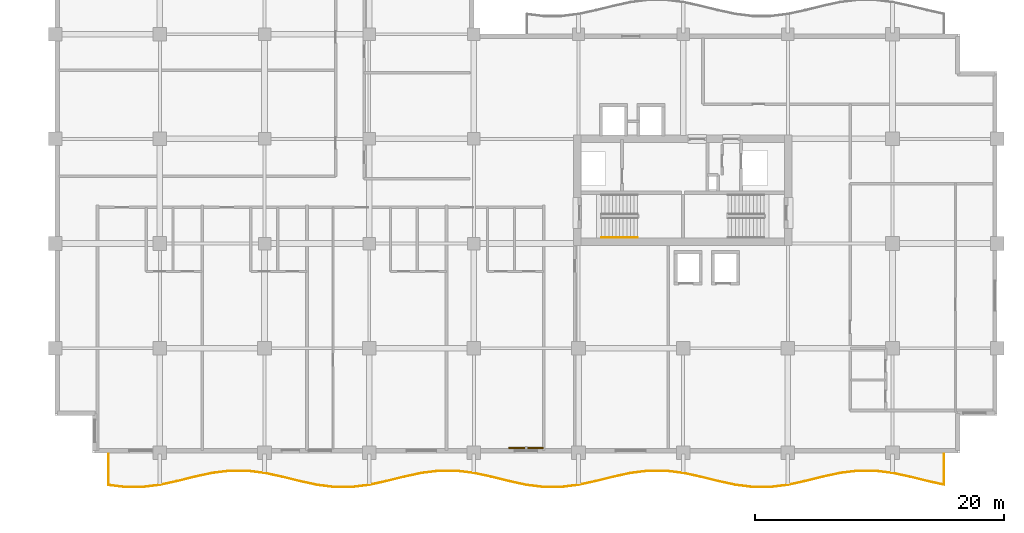
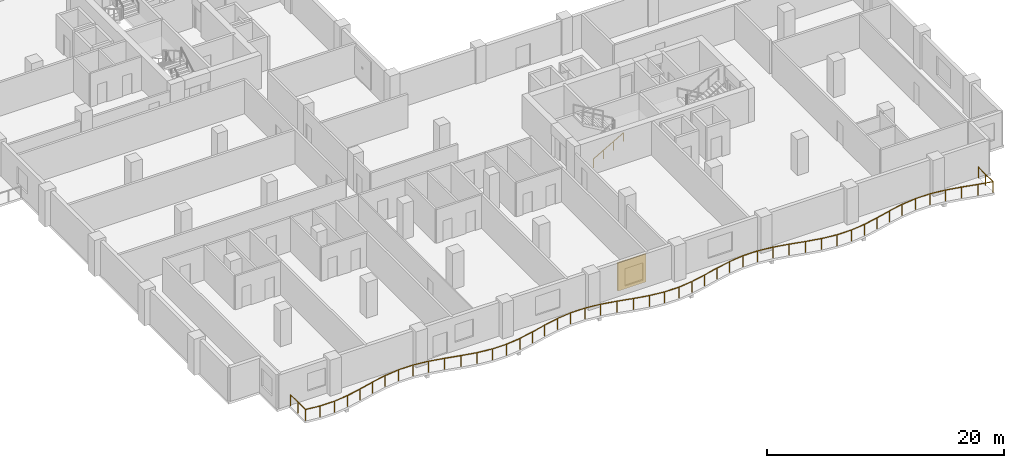
# One storey, part 11 of 14: 2 railings, 1 shading device.
"""IFC4 building model written with IfcOpenShell, lengths in metres."""

from ifc_helpers import new_model, si_unit, direction, frame, origin, origin_2d, place, context, subcontext, project, spatial, rectangle, circle, extrude, material, layer, layer_set, type_object, element, save


model = new_model("IFC4")

# Units and contexts
model_context = context("Model", 3, precision=1e-05, world=origin(), true_north=direction((0.0, 1.0)))
body_context = subcontext(model_context, "Body", "Model", "MODEL_VIEW")
ifc_project = project(units=[si_unit("LENGTHUNIT", "METRE"), si_unit("AREAUNIT", "SQUARE_METRE"), si_unit("VOLUMEUNIT", "CUBIC_METRE"), si_unit("PLANEANGLEUNIT", "RADIAN"), si_unit("MASSUNIT", "GRAM", prefix="KILO")], contexts=[model_context])

# Site, building, storey
site_placement = place(None, origin())
site = spatial("IfcSite", under=ifc_project, at=site_placement, CompositionType="ELEMENT")
building_placement = place(site_placement, origin())
building = spatial("IfcBuilding", under=site, at=building_placement, Name="Koriwani Terraces Tower", CompositionType="ELEMENT")
storey_placement = place(building_placement, frame((0.0, 0.0, 208.699951171875)))
storey = spatial("IfcBuildingStorey", under=building, at=storey_placement, Name="L51", CompositionType="ELEMENT", Elevation=208.699951171875)

# Railings
ifc_material_1 = material(Name="Steel ASTM A572 Grade 50", Category="steel")
railing_type_1 = type_object("IfcRailingType", Name="GUARD_BALUSTRADE_1150", PredefinedType="BALUSTRADE", material=ifc_material_1)
railing_1_placement = place(storey_placement, frame((4.280029296875, -0.080078125, 0.0)))
element("IfcRailing", 1, at=railing_1_placement, inside=storey, type_object=railing_type_1, Name="L51 Balcony Perimeter Safety Balustrade (S)", PredefinedType="BALUSTRADE", context=body_context, shape_type="SweptSolid", body=[
    extrude(circle(Radius=0.02392578125, at=origin_2d()), frame((0.0, 0.0, 1.1259765625), z_axis=(0.0, -1.0, 0.0), x_axis=(1.0, 0.0, 0.0)), (0.0, 0.0, 1.0), 2.501708984375),
    extrude(circle(Radius=0.02392578125, at=origin_2d()), frame((0.0, -2.501708984375, 1.1259765625), z_axis=(0.992308789115, -0.123787184491, 0.0), x_axis=(0.123787184491, 0.992308789115, 0.0)), (0.0, 0.0, 1.0), 1.335205078125),
    extrude(circle(Radius=0.02392578125, at=origin_2d()), frame((1.324951171875, -2.6669921875, 1.1259765625), z_axis=(1.0, 0.0, 0.0), x_axis=(0.0, 1.0, 0.0)), (0.0, 0.0, 1.0), 1.39013671875),
    extrude(circle(Radius=0.02392578125, at=origin_2d()), frame((2.715087890625, -2.6669921875, 1.1259765625), z_axis=(0.992309982997, 0.123777613669, 0.0), x_axis=(-0.123777613669, 0.992309982997, 0.0)), (0.0, 0.0, 1.0), 1.40234375),
    extrude(circle(Radius=0.02392578125, at=origin_2d()), frame((4.106689453125, -2.493408203125, 1.1259765625), z_axis=(0.977402706702, 0.211385782237, 0.0), x_axis=(-0.211385782237, 0.977402706702, 0.0)), (0.0, 0.0, 1.0), 1.427490234375),
    extrude(circle(Radius=0.02392578125, at=origin_2d()), frame((5.501953125, -2.191650390625, 1.1259765625), z_axis=(0.970241952903, 0.242137466795, 0.0), x_axis=(-0.242137466795, 0.970241952903, 0.0)), (0.0, 0.0, 1.0), 1.44287109375),
    extrude(circle(Radius=0.02392578125, at=origin_2d()), frame((6.90185546875, -1.84228515625, 1.1259765625), z_axis=(0.977453031353, 0.21115295759, 0.0), x_axis=(-0.21115295759, 0.977453031353, 0.0)), (0.0, 0.0, 1.0), 1.437255859375),
    extrude(circle(Radius=0.02392578125, at=origin_2d()), frame((8.306640625, -1.538818359375, 1.1259765625), z_axis=(0.992322798546, 0.123674829633, 0.0), x_axis=(-0.123674829633, 0.992322798546, 0.0)), (0.0, 0.0, 1.0), 1.41943359375),
    extrude(circle(Radius=0.02392578125, at=origin_2d()), frame((9.715087890625, -1.36328125, 1.1259765625), z_axis=(1.0, 0.0, 0.0), x_axis=(0.0, 1.0, 0.0)), (0.0, 0.0, 1.0), 1.409912109375),
    extrude(circle(Radius=0.02392578125, at=origin_2d()), frame((11.125, -1.36328125, 1.1259765625), z_axis=(0.992322798546, -0.123674829633, 0.0), x_axis=(0.123674829633, 0.992322798546, 0.0)), (0.0, 0.0, 1.0), 1.41943359375),
    extrude(circle(Radius=0.02392578125, at=origin_2d()), frame((12.533447265625, -1.538818359375, 1.1259765625), z_axis=(0.977445455552, -0.211188023857, 0.0), x_axis=(0.211188023857, 0.977445455552, 0.0)), (0.0, 0.0, 1.0), 1.43701171875),
    extrude(circle(Radius=0.02392578125, at=origin_2d()), frame((13.93798828125, -1.84228515625, 1.1259765625), z_axis=(0.970251871253, -0.242097720621, 0.0), x_axis=(0.242097720621, 0.970251871253, 0.0)), (0.0, 0.0, 1.0), 1.443115234375),
    extrude(circle(Radius=0.02392578125, at=origin_2d()), frame((15.338134765625, -2.191650390625, 1.1259765625), z_axis=(0.977402706702, -0.211385782237, 0.0), x_axis=(0.211385782237, 0.977402706702, 0.0)), (0.0, 0.0, 1.0), 1.427490234375),
    extrude(circle(Radius=0.02392578125, at=origin_2d()), frame((16.7333984375, -2.493408203125, 1.1259765625), z_axis=(0.992309982997, -0.123777613669, 0.0), x_axis=(0.123777613669, 0.992309982997, 0.0)), (0.0, 0.0, 1.0), 1.40234375),
    extrude(circle(Radius=0.02392578125, at=origin_2d()), frame((18.125, -2.6669921875, 1.1259765625), z_axis=(1.0, 0.0, 0.0), x_axis=(0.0, 1.0, 0.0)), (0.0, 0.0, 1.0), 1.389892578125),
    extrude(circle(Radius=0.02392578125, at=origin_2d()), frame((19.514892578125, -2.6669921875, 1.1259765625), z_axis=(0.992309982997, 0.123777613669, 0.0), x_axis=(-0.123777613669, 0.992309982997, 0.0)), (0.0, 0.0, 1.0), 1.40234375),
    extrude(circle(Radius=0.02392578125, at=origin_2d()), frame((20.906494140625, -2.493408203125, 1.1259765625), z_axis=(0.977402706702, 0.211385782237, 0.0), x_axis=(-0.211385782237, 0.977402706702, 0.0)), (0.0, 0.0, 1.0), 1.427490234375),
    extrude(circle(Radius=0.02392578125, at=origin_2d()), frame((22.3017578125, -2.191650390625, 1.1259765625), z_axis=(0.970251871253, 0.242097720621, 0.0), x_axis=(-0.242097720621, 0.970251871253, 0.0)), (0.0, 0.0, 1.0), 1.443115234375),
    extrude(circle(Radius=0.02392578125, at=origin_2d()), frame((23.701904296875, -1.84228515625, 1.1259765625), z_axis=(0.977453031353, 0.21115295759, 0.0), x_axis=(-0.21115295759, 0.977453031353, 0.0)), (0.0, 0.0, 1.0), 1.437255859375),
    extrude(circle(Radius=0.02392578125, at=origin_2d()), frame((25.106689453125, -1.538818359375, 1.1259765625), z_axis=(0.992320166908, 0.123695943136, 0.0), x_axis=(-0.123695943136, 0.992320166908, 0.0)), (0.0, 0.0, 1.0), 1.419189453125),
    extrude(circle(Radius=0.02392578125, at=origin_2d()), frame((26.514892578125, -1.36328125, 1.1259765625), z_axis=(1.0, 0.0, 0.0), x_axis=(0.0, 1.0, 0.0)), (0.0, 0.0, 1.0), 1.41015625),
    extrude(circle(Radius=0.02392578125, at=origin_2d()), frame((27.925048828125, -1.36328125, 1.1259765625), z_axis=(0.992320166908, -0.123695943136, 0.0), x_axis=(0.123695943136, 0.992320166908, 0.0)), (0.0, 0.0, 1.0), 1.419189453125),
    extrude(circle(Radius=0.02392578125, at=origin_2d()), frame((29.333251953125, -1.538818359375, 1.1259765625), z_axis=(0.977453031353, -0.21115295759, 0.0), x_axis=(0.21115295759, 0.977453031353, 0.0)), (0.0, 0.0, 1.0), 1.437255859375),
    extrude(circle(Radius=0.02392578125, at=origin_2d()), frame((30.738037109375, -1.84228515625, 1.1259765625), z_axis=(0.970251871253, -0.242097720621, 0.0), x_axis=(0.242097720621, 0.970251871253, 0.0)), (0.0, 0.0, 1.0), 1.443115234375),
    extrude(circle(Radius=0.02392578125, at=origin_2d()), frame((32.13818359375, -2.191650390625, 1.1259765625), z_axis=(0.977402706702, -0.211385782237, 0.0), x_axis=(0.211385782237, 0.977402706702, 0.0)), (0.0, 0.0, 1.0), 1.427490234375),
    extrude(circle(Radius=0.02392578125, at=origin_2d()), frame((33.533447265625, -2.493408203125, 1.1259765625), z_axis=(0.992309982997, -0.123777613669, 0.0), x_axis=(0.123777613669, 0.992309982997, 0.0)), (0.0, 0.0, 1.0), 1.40234375),
    extrude(circle(Radius=0.02392578125, at=origin_2d()), frame((34.925048828125, -2.6669921875, 1.1259765625), z_axis=(1.0, 0.0, 0.0), x_axis=(0.0, 1.0, 0.0)), (0.0, 0.0, 1.0), 1.389892578125),
    extrude(circle(Radius=0.02392578125, at=origin_2d()), frame((36.31494140625, -2.6669921875, 1.1259765625), z_axis=(0.992309982997, 0.123777613669, 0.0), x_axis=(-0.123777613669, 0.992309982997, 0.0)), (0.0, 0.0, 1.0), 1.40234375),
    extrude(circle(Radius=0.02392578125, at=origin_2d()), frame((37.70654296875, -2.493408203125, 1.1259765625), z_axis=(0.977402706702, 0.211385782237, 0.0), x_axis=(-0.211385782237, 0.977402706702, 0.0)), (0.0, 0.0, 1.0), 1.427490234375),
    extrude(circle(Radius=0.02392578125, at=origin_2d()), frame((39.101806640625, -2.191650390625, 1.1259765625), z_axis=(0.970251871253, 0.242097720621, 0.0), x_axis=(-0.242097720621, 0.970251871253, 0.0)), (0.0, 0.0, 1.0), 1.443115234375),
    extrude(circle(Radius=0.02392578125, at=origin_2d()), frame((40.501953125, -1.84228515625, 1.1259765625), z_axis=(0.977445455552, 0.211188023857, 0.0), x_axis=(-0.211188023857, 0.977445455552, 0.0)), (0.0, 0.0, 1.0), 1.43701171875),
    extrude(circle(Radius=0.02392578125, at=origin_2d()), frame((41.906494140625, -1.538818359375, 1.1259765625), z_axis=(0.992322798546, 0.123674829633, 0.0), x_axis=(-0.123674829633, 0.992322798546, 0.0)), (0.0, 0.0, 1.0), 1.41943359375),
    extrude(circle(Radius=0.02392578125, at=origin_2d()), frame((43.31494140625, -1.36328125, 1.1259765625), z_axis=(1.0, 0.0, 0.0), x_axis=(0.0, 1.0, 0.0)), (0.0, 0.0, 1.0), 1.409912109375),
    extrude(circle(Radius=0.02392578125, at=origin_2d()), frame((44.724853515625, -1.36328125, 1.1259765625), z_axis=(0.992322798546, -0.123674829633, 0.0), x_axis=(0.123674829633, 0.992322798546, 0.0)), (0.0, 0.0, 1.0), 1.41943359375),
    extrude(circle(Radius=0.02392578125, at=origin_2d()), frame((46.13330078125, -1.538818359375, 1.1259765625), z_axis=(0.977453031353, -0.21115295759, 0.0), x_axis=(0.21115295759, 0.977453031353, 0.0)), (0.0, 0.0, 1.0), 1.437255859375),
    extrude(circle(Radius=0.02392578125, at=origin_2d()), frame((47.5380859375, -1.84228515625, 1.1259765625), z_axis=(0.970241952903, -0.242137466795, 0.0), x_axis=(0.242137466795, 0.970241952903, 0.0)), (0.0, 0.0, 1.0), 1.44287109375),
    extrude(circle(Radius=0.02392578125, at=origin_2d()), frame((48.93798828125, -2.191650390625, 1.1259765625), z_axis=(0.977402706702, -0.211385782237, 0.0), x_axis=(0.211385782237, 0.977402706702, 0.0)), (0.0, 0.0, 1.0), 1.427490234375),
    extrude(circle(Radius=0.02392578125, at=origin_2d()), frame((50.333251953125, -2.493408203125, 1.1259765625), z_axis=(0.992309982997, -0.123777613669, 0.0), x_axis=(0.123777613669, 0.992309982997, 0.0)), (0.0, 0.0, 1.0), 1.40234375),
    extrude(circle(Radius=0.02392578125, at=origin_2d()), frame((51.724853515625, -2.6669921875, 1.1259765625), z_axis=(1.0, 0.0, 0.0), x_axis=(0.0, 1.0, 0.0)), (0.0, 0.0, 1.0), 1.39013671875),
    extrude(circle(Radius=0.02392578125, at=origin_2d()), frame((53.114990234375, -2.6669921875, 1.1259765625), z_axis=(0.992309982997, 0.123777613669, 0.0), x_axis=(-0.123777613669, 0.992309982997, 0.0)), (0.0, 0.0, 1.0), 1.40234375),
    extrude(circle(Radius=0.02392578125, at=origin_2d()), frame((54.506591796875, -2.493408203125, 1.1259765625), z_axis=(0.977402706702, 0.211385782237, 0.0), x_axis=(-0.211385782237, 0.977402706702, 0.0)), (0.0, 0.0, 1.0), 1.427490234375),
    extrude(circle(Radius=0.02392578125, at=origin_2d()), frame((55.90185546875, -2.191650390625, 1.1259765625), z_axis=(0.970241952903, 0.242137466795, 0.0), x_axis=(-0.242137466795, 0.970241952903, 0.0)), (0.0, 0.0, 1.0), 1.44287109375),
    extrude(circle(Radius=0.02392578125, at=origin_2d()), frame((57.3017578125, -1.84228515625, 1.1259765625), z_axis=(0.977453031353, 0.21115295759, 0.0), x_axis=(-0.21115295759, 0.977453031353, 0.0)), (0.0, 0.0, 1.0), 1.437255859375),
    extrude(circle(Radius=0.02392578125, at=origin_2d()), frame((58.70654296875, -1.538818359375, 1.1259765625), z_axis=(0.992322798546, 0.123674829633, 0.0), x_axis=(-0.123674829633, 0.992322798546, 0.0)), (0.0, 0.0, 1.0), 1.41943359375),
    extrude(circle(Radius=0.02392578125, at=origin_2d()), frame((60.114990234375, -1.36328125, 1.1259765625), z_axis=(1.0, 0.0, 0.0), x_axis=(0.0, 1.0, 0.0)), (0.0, 0.0, 1.0), 1.409912109375),
    extrude(circle(Radius=0.02392578125, at=origin_2d()), frame((61.52490234375, -1.36328125, 1.1259765625), z_axis=(0.992322798546, -0.123674829633, 0.0), x_axis=(0.123674829633, 0.992322798546, 0.0)), (0.0, 0.0, 1.0), 1.41943359375),
    extrude(circle(Radius=0.02392578125, at=origin_2d()), frame((62.933349609375, -1.538818359375, 1.1259765625), z_axis=(0.977453031353, -0.21115295759, 0.0), x_axis=(0.21115295759, 0.977453031353, 0.0)), (0.0, 0.0, 1.0), 1.437255859375),
    extrude(circle(Radius=0.02392578125, at=origin_2d()), frame((64.338134765625, -1.84228515625, 1.1259765625), z_axis=(0.970241952903, -0.242137466795, 0.0), x_axis=(0.242137466795, 0.970241952903, 0.0)), (0.0, 0.0, 1.0), 1.44287109375),
    extrude(circle(Radius=0.02392578125, at=origin_2d()), frame((65.738037109375, -2.191650390625, 1.1259765625), z_axis=(0.977417234878, -0.211318595877, 0.0), x_axis=(0.211318595877, 0.977417234878, 0.0)), (0.0, 0.0, 1.0), 1.33203125),
    extrude(circle(Radius=0.02392578125, at=origin_2d()), frame((67.0400390625, -2.47314453125, 1.1259765625), z_axis=(0.0, 1.0, 0.0), x_axis=(-1.0, 0.0, 0.0)), (0.0, 0.0, 1.0), 2.47314453125),
    extrude(circle(Radius=0.02099609375, at=origin_2d()), origin(), (0.0, 0.0, 1.0), 1.101806640625),
    extrude(circle(Radius=0.02099609375, at=origin_2d()), frame((0.0, -1.2509765625, 0.0)), (0.0, 0.0, 1.0), 1.101806640625),
    extrude(circle(Radius=0.02099609375, at=origin_2d()), frame((0.0, -2.501708984375, 0.0)), (0.0, 0.0, 1.0), 1.101806640625),
    extrude(circle(Radius=0.02099609375, at=origin_2d()), frame((1.324951171875, -2.6669921875, 0.0)), (0.0, 0.0, 1.0), 1.101806640625),
    extrude(circle(Radius=0.02099609375, at=origin_2d()), frame((2.715087890625, -2.6669921875, 0.0)), (0.0, 0.0, 1.0), 1.101806640625),
    extrude(circle(Radius=0.02099609375, at=origin_2d()), frame((4.106689453125, -2.493408203125, 0.0)), (0.0, 0.0, 1.0), 1.101806640625),
    extrude(circle(Radius=0.02099609375, at=origin_2d()), frame((5.501953125, -2.191650390625, 0.0)), (0.0, 0.0, 1.0), 1.101806640625),
    extrude(circle(Radius=0.02099609375, at=origin_2d()), frame((6.90185546875, -1.84228515625, 0.0)), (0.0, 0.0, 1.0), 1.101806640625),
    extrude(circle(Radius=0.02099609375, at=origin_2d()), frame((8.306640625, -1.538818359375, 0.0)), (0.0, 0.0, 1.0), 1.101806640625),
    extrude(circle(Radius=0.02099609375, at=origin_2d()), frame((9.715087890625, -1.36328125, 0.0)), (0.0, 0.0, 1.0), 1.101806640625),
    extrude(circle(Radius=0.02099609375, at=origin_2d()), frame((11.125, -1.36328125, 0.0)), (0.0, 0.0, 1.0), 1.101806640625),
    extrude(circle(Radius=0.02099609375, at=origin_2d()), frame((12.533447265625, -1.538818359375, 0.0)), (0.0, 0.0, 1.0), 1.101806640625),
    extrude(circle(Radius=0.02099609375, at=origin_2d()), frame((13.93798828125, -1.84228515625, 0.0)), (0.0, 0.0, 1.0), 1.101806640625),
    extrude(circle(Radius=0.02099609375, at=origin_2d()), frame((15.338134765625, -2.191650390625, 0.0)), (0.0, 0.0, 1.0), 1.101806640625),
    extrude(circle(Radius=0.02099609375, at=origin_2d()), frame((16.7333984375, -2.493408203125, 0.0)), (0.0, 0.0, 1.0), 1.101806640625),
    extrude(circle(Radius=0.02099609375, at=origin_2d()), frame((18.125, -2.6669921875, 0.0)), (0.0, 0.0, 1.0), 1.101806640625),
    extrude(circle(Radius=0.02099609375, at=origin_2d()), frame((19.514892578125, -2.6669921875, 0.0)), (0.0, 0.0, 1.0), 1.101806640625),
    extrude(circle(Radius=0.02099609375, at=origin_2d()), frame((20.906494140625, -2.493408203125, 0.0)), (0.0, 0.0, 1.0), 1.101806640625),
    extrude(circle(Radius=0.02099609375, at=origin_2d()), frame((22.3017578125, -2.191650390625, 0.0)), (0.0, 0.0, 1.0), 1.101806640625),
    extrude(circle(Radius=0.02099609375, at=origin_2d()), frame((23.701904296875, -1.84228515625, 0.0)), (0.0, 0.0, 1.0), 1.101806640625),
    extrude(circle(Radius=0.02099609375, at=origin_2d()), frame((25.106689453125, -1.538818359375, 0.0)), (0.0, 0.0, 1.0), 1.101806640625),
    extrude(circle(Radius=0.02099609375, at=origin_2d()), frame((26.514892578125, -1.36328125, 0.0)), (0.0, 0.0, 1.0), 1.101806640625),
    extrude(circle(Radius=0.02099609375, at=origin_2d()), frame((27.925048828125, -1.36328125, 0.0)), (0.0, 0.0, 1.0), 1.101806640625),
    extrude(circle(Radius=0.02099609375, at=origin_2d()), frame((29.333251953125, -1.538818359375, 0.0)), (0.0, 0.0, 1.0), 1.101806640625),
    extrude(circle(Radius=0.02099609375, at=origin_2d()), frame((30.738037109375, -1.84228515625, 0.0)), (0.0, 0.0, 1.0), 1.101806640625),
    extrude(circle(Radius=0.02099609375, at=origin_2d()), frame((32.13818359375, -2.191650390625, 0.0)), (0.0, 0.0, 1.0), 1.101806640625),
    extrude(circle(Radius=0.02099609375, at=origin_2d()), frame((33.533447265625, -2.493408203125, 0.0)), (0.0, 0.0, 1.0), 1.101806640625),
    extrude(circle(Radius=0.02099609375, at=origin_2d()), frame((34.925048828125, -2.6669921875, 0.0)), (0.0, 0.0, 1.0), 1.101806640625),
    extrude(circle(Radius=0.02099609375, at=origin_2d()), frame((36.31494140625, -2.6669921875, 0.0)), (0.0, 0.0, 1.0), 1.101806640625),
    extrude(circle(Radius=0.02099609375, at=origin_2d()), frame((37.70654296875, -2.493408203125, 0.0)), (0.0, 0.0, 1.0), 1.101806640625),
    extrude(circle(Radius=0.02099609375, at=origin_2d()), frame((39.101806640625, -2.191650390625, 0.0)), (0.0, 0.0, 1.0), 1.101806640625),
    extrude(circle(Radius=0.02099609375, at=origin_2d()), frame((40.501953125, -1.84228515625, 0.0)), (0.0, 0.0, 1.0), 1.101806640625),
    extrude(circle(Radius=0.02099609375, at=origin_2d()), frame((41.906494140625, -1.538818359375, 0.0)), (0.0, 0.0, 1.0), 1.101806640625),
    extrude(circle(Radius=0.02099609375, at=origin_2d()), frame((43.31494140625, -1.36328125, 0.0)), (0.0, 0.0, 1.0), 1.101806640625),
    extrude(circle(Radius=0.02099609375, at=origin_2d()), frame((44.724853515625, -1.36328125, 0.0)), (0.0, 0.0, 1.0), 1.101806640625),
    extrude(circle(Radius=0.02099609375, at=origin_2d()), frame((46.13330078125, -1.538818359375, 0.0)), (0.0, 0.0, 1.0), 1.101806640625),
    extrude(circle(Radius=0.02099609375, at=origin_2d()), frame((47.5380859375, -1.84228515625, 0.0)), (0.0, 0.0, 1.0), 1.101806640625),
    extrude(circle(Radius=0.02099609375, at=origin_2d()), frame((48.93798828125, -2.191650390625, 0.0)), (0.0, 0.0, 1.0), 1.101806640625),
    extrude(circle(Radius=0.02099609375, at=origin_2d()), frame((50.333251953125, -2.493408203125, 0.0)), (0.0, 0.0, 1.0), 1.101806640625),
    extrude(circle(Radius=0.02099609375, at=origin_2d()), frame((51.724853515625, -2.6669921875, 0.0)), (0.0, 0.0, 1.0), 1.101806640625),
    extrude(circle(Radius=0.02099609375, at=origin_2d()), frame((53.114990234375, -2.6669921875, 0.0)), (0.0, 0.0, 1.0), 1.101806640625),
    extrude(circle(Radius=0.02099609375, at=origin_2d()), frame((54.506591796875, -2.493408203125, 0.0)), (0.0, 0.0, 1.0), 1.101806640625),
    extrude(circle(Radius=0.02099609375, at=origin_2d()), frame((55.90185546875, -2.191650390625, 0.0)), (0.0, 0.0, 1.0), 1.101806640625),
    extrude(circle(Radius=0.02099609375, at=origin_2d()), frame((57.3017578125, -1.84228515625, 0.0)), (0.0, 0.0, 1.0), 1.101806640625),
    extrude(circle(Radius=0.02099609375, at=origin_2d()), frame((58.70654296875, -1.538818359375, 0.0)), (0.0, 0.0, 1.0), 1.101806640625),
    extrude(circle(Radius=0.02099609375, at=origin_2d()), frame((60.114990234375, -1.36328125, 0.0)), (0.0, 0.0, 1.0), 1.101806640625),
    extrude(circle(Radius=0.02099609375, at=origin_2d()), frame((61.52490234375, -1.36328125, 0.0)), (0.0, 0.0, 1.0), 1.101806640625),
    extrude(circle(Radius=0.02099609375, at=origin_2d()), frame((62.933349609375, -1.538818359375, 0.0)), (0.0, 0.0, 1.0), 1.101806640625),
    extrude(circle(Radius=0.02099609375, at=origin_2d()), frame((64.338134765625, -1.84228515625, 0.0)), (0.0, 0.0, 1.0), 1.101806640625),
    extrude(circle(Radius=0.02099609375, at=origin_2d()), frame((65.738037109375, -2.191650390625, 0.0)), (0.0, 0.0, 1.0), 1.101806640625),
    extrude(circle(Radius=0.02099609375, at=origin_2d()), frame((67.0400390625, -2.47314453125, 0.0)), (0.0, 0.0, 1.0), 1.101806640625),
    extrude(circle(Radius=0.02099609375, at=origin_2d()), frame((67.0400390625, -1.236572265625, 0.0)), (0.0, 0.0, 1.0), 1.101806640625),
    extrude(circle(Radius=0.02099609375, at=origin_2d()), frame((67.0400390625, 0.0, 0.0)), (0.0, 0.0, 1.0), 1.101806640625),
])
railing_type_2 = type_object("IfcRailingType", Name="HANDRAIL_STAIR_920", PredefinedType="HANDRAIL", material=ifc_material_1)
railing_2_placement = place(storey_placement, frame((43.85009765625, 17.300048828125, 0.168212890625)))
element("IfcRailing", 2, at=railing_2_placement, inside=storey, type_object=railing_type_2, Name="L51 ST-E1 stair handrail 1", PredefinedType="HANDRAIL", context=body_context, shape_type="SweptSolid", body=[
    extrude(circle(Radius=0.02392578125, at=origin_2d()), frame((0.0, 0.0, 0.8759765625), z_axis=(0.865038774852, 0.0, 0.501705010941), x_axis=(0.0, 1.0, 0.0)), (0.0, 0.0, 1.0), 3.352294921875),
    extrude(circle(Radius=0.02099609375, at=origin_2d()), origin(), (0.0, 0.0, 1.0), 0.851806640625),
    extrude(circle(Radius=0.02099609375, at=origin_2d()), frame((0.966552734375, 0.0, 0.560546875)), (0.0, 0.0, 1.0), 0.851806640625),
    extrude(circle(Radius=0.02099609375, at=origin_2d()), frame((1.933349609375, 0.0, 1.121337890625)), (0.0, 0.0, 1.0), 0.851806640625),
    extrude(circle(Radius=0.02099609375, at=origin_2d()), frame((2.89990234375, 0.0, 1.681884765625)), (0.0, 0.0, 1.0), 0.851806640625),
])

# Shading device
ifc_material_2 = material(Name="Extruded Terracotta Clay", Category="masonry")
ifc_layer = layer(ifc_material_2, 0.1201171875, Name="Extruded Terracotta Clay")
ifc_layer_set = layer_set([ifc_layer], Name="Extruded Terracotta Clay")
shading_device_type = type_object("IfcShadingDeviceType", Name="TERRACOTTA_BAGUETTE_SCREEN_2800", PredefinedType="USERDEFINED", material=ifc_layer_set)
shading_device_placement = place(storey_placement, frame((37.800048828125, 0.405029296875, 0.28515625), z_axis=(0.0, 0.0, 1.0), x_axis=(-1.0, 0.0, 0.0)))
element("IfcShadingDevice", 3, at=shading_device_placement, inside=storey, type_object=shading_device_type, Name="L51 Extruded Terracotta Baguette Screen (S-12)", ObjectType="BAGUETTE", PredefinedType="USERDEFINED", context=body_context, shape_type="SweptSolid", body=[
    extrude(rectangle(XDim=2.760009765625, YDim=0.1201171875, at=origin_2d()), origin(), (0.0, 0.0, 1.0), 2.89990234375),
])

save(model, "model.ifc")
